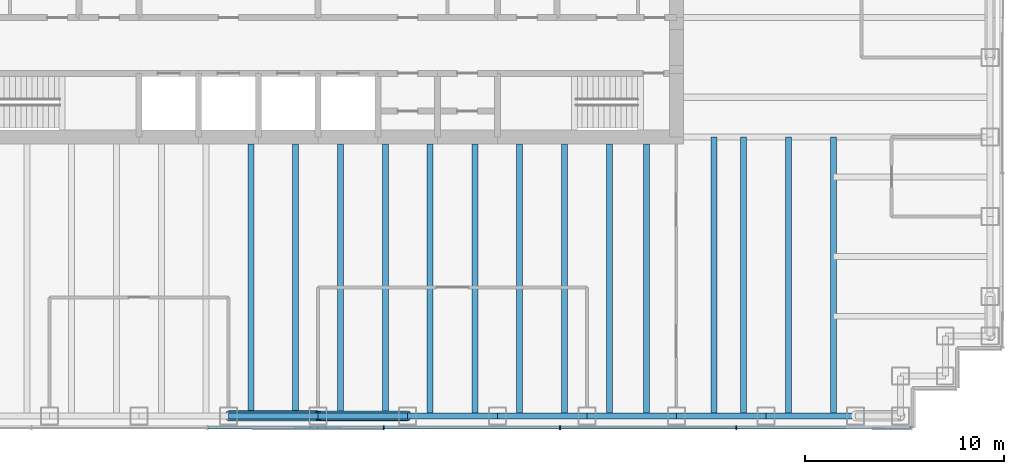
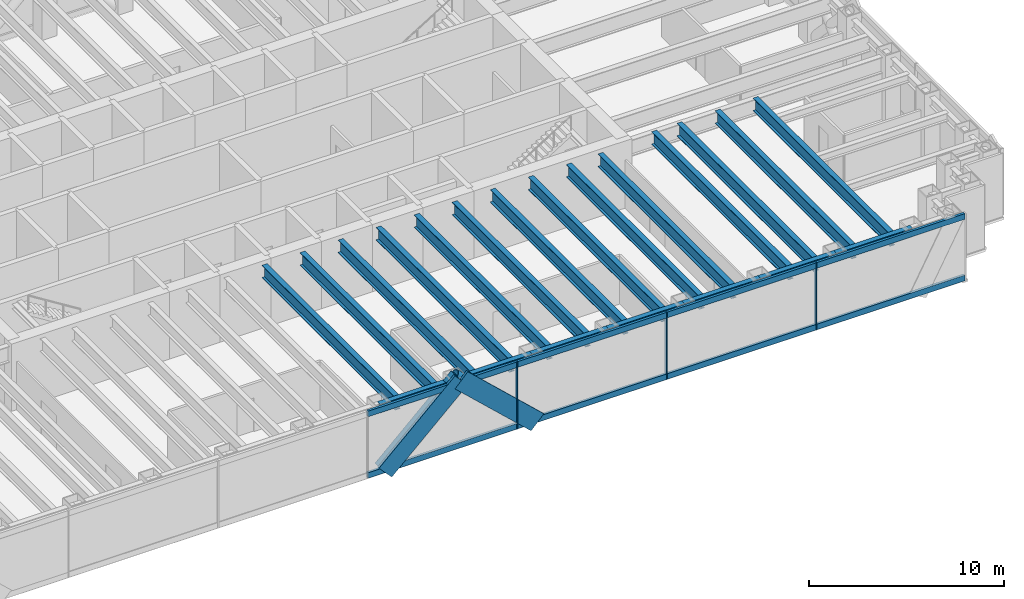
# One storey, part 4 of 15: 21 beams, 15 members, 1 element without a shape of its own.
"""IFC4 building model written with IfcOpenShell, lengths in metres."""

from ifc_helpers import new_model, si_unit, direction, frame, origin, origin_2d, place, context, subcontext, project, spatial, rectangle, hollow_circle, i_section, extrude, material, material_profile, profile_set, type_object, element, aggregate, save


model = new_model("IFC4")

# Units and contexts
model_context = context("Model", 3, precision=1e-05, world=origin(), true_north=direction((0.0, 1.0)))
body_context = subcontext(model_context, "Body", "Model", "MODEL_VIEW")
ifc_project = project(units=[si_unit("LENGTHUNIT", "METRE"), si_unit("AREAUNIT", "SQUARE_METRE"), si_unit("VOLUMEUNIT", "CUBIC_METRE"), si_unit("PLANEANGLEUNIT", "RADIAN"), si_unit("MASSUNIT", "GRAM", prefix="KILO")], contexts=[model_context])

# Site, building, storey
site_placement = place(None, origin())
site = spatial("IfcSite", under=ifc_project, at=site_placement, CompositionType="ELEMENT")
building_placement = place(site_placement, origin())
building = spatial("IfcBuilding", under=site, at=building_placement, Name="Rheinbord Bourse Tower", CompositionType="ELEMENT")
storey_placement = place(building_placement, frame((0.0, 0.0, 329.89990234375)))
storey = spatial("IfcBuildingStorey", under=building, at=storey_placement, Name="L75", CompositionType="ELEMENT", Elevation=329.89990234375)

# Curtain wall, members
ifc_material_1 = material(Name="Dark glass and black aluminium", Category="aluminium")
curtain_wall_type = type_object("IfcCurtainWallType", Name="CW3 DARK GLASS CURTAIN WALL", PredefinedType="USERDEFINED", material=ifc_material_1)
curtain_wall_placement = place(storey_placement, origin())
curtain_wall = element("IfcCurtainWall", 1, at=curtain_wall_placement, inside=storey, type_object=curtain_wall_type, Name="Curtain wall CW3 S L75", ObjectType="UNITISED CURTAIN WALL", PredefinedType="USERDEFINED")
ifc_material_2 = material(Name="Black anodised aluminium", Category="aluminium")
ifc_material_profile_1 = material_profile(ifc_material_2, rectangle(XDim=0.14990234375, YDim=1.10791015625, at=origin_2d()), Name="CW3 DIAGONAL MULLION 1108x150")
ifc_profile_set_1 = profile_set([ifc_material_profile_1], Name="Black anodised aluminium")
member_type_1 = type_object("IfcMemberType", Name="CW3 BLACK DIAGONAL MULLION", PredefinedType="USERDEFINED", material=ifc_profile_set_1)
member_1_placement = place(storey_placement, frame((40.5, 1.39990234375, 0.0), z_axis=(-0.731039441158, 0.0, 0.682335207557), x_axis=(0.0, -1.0, 0.0)))
member_1 = element("IfcMember", 2, at=member_1_placement, type_object=member_type_1, Name="CW3 diagonal mullion a", ObjectType="DIAGONAL MULLION", PredefinedType="USERDEFINED", context=body_context, shape_type="SweptSolid", body=[
    extrude(rectangle(XDim=0.14990234375, YDim=1.10791015625, at=origin_2d()), origin(), (0.0, 0.0, 1.0), 6.155517578125),
])
member_2_placement = place(storey_placement, frame((31.5, 1.39990234375, 0.0), z_axis=(0.731039441158, 0.0, 0.682335207557), x_axis=(0.0, 1.0, 0.0)))
member_2 = element("IfcMember", 3, at=member_2_placement, type_object=member_type_1, Name="CW3 diagonal mullion b", ObjectType="DIAGONAL MULLION", PredefinedType="USERDEFINED", context=body_context, shape_type="SweptSolid", body=[
    extrude(rectangle(XDim=0.14990234375, YDim=1.10791015625, at=origin_2d()), origin(), (0.0, 0.0, 1.0), 6.155517578125),
])
ifc_material_3 = material(Name="Black anodised aluminium", Category="aluminium")
ifc_material_profile_2 = material_profile(ifc_material_3, rectangle(XDim=0.199951171875, YDim=0.06494140625, at=origin_2d()), Name="CW3 MULLION 65x200")
ifc_profile_set_2 = profile_set([ifc_material_profile_2], Name="Black anodised aluminium")
member_type_2 = type_object("IfcMemberType", Name="CW3 BLACK MULLION", PredefinedType="MULLION", material=ifc_profile_set_2)
member_3_placement = place(storey_placement, frame((39.300048828125, 1.39990234375, 0.0), z_axis=(0.0, 0.0, 1.0), x_axis=(0.0, 1.0, 0.0)))
member_3 = element("IfcMember", 4, at=member_3_placement, type_object=member_type_2, Name="CW3 mullion 5", PredefinedType="MULLION", context=body_context, shape_type="SweptSolid", body=[
    extrude(rectangle(XDim=0.199951171875, YDim=0.06494140625, at=origin_2d()), origin(), (0.0, 0.0, 1.0), 4.2001953125),
])
member_4_placement = place(storey_placement, frame((48.14990234375, 1.39990234375, 0.0), z_axis=(0.0, 0.0, 1.0), x_axis=(0.0, 1.0, 0.0)))
member_4 = element("IfcMember", 5, at=member_4_placement, type_object=member_type_2, Name="CW3 mullion 6", PredefinedType="MULLION", context=body_context, shape_type="SweptSolid", body=[
    extrude(rectangle(XDim=0.199951171875, YDim=0.06494140625, at=origin_2d()), origin(), (0.0, 0.0, 1.0), 4.2001953125),
])
member_5_placement = place(storey_placement, frame((57.0, 1.39990234375, 0.0), z_axis=(0.0, 0.0, 1.0), x_axis=(0.0, 1.0, 0.0)))
member_5 = element("IfcMember", 6, at=member_5_placement, type_object=member_type_2, Name="CW3 mullion 7", PredefinedType="MULLION", context=body_context, shape_type="SweptSolid", body=[
    extrude(rectangle(XDim=0.199951171875, YDim=0.06494140625, at=origin_2d()), origin(), (0.0, 0.0, 1.0), 4.2001953125),
])
ifc_material_4 = material(Name="Black anodised aluminium", Category="aluminium")
ifc_material_profile_3 = material_profile(ifc_material_4, rectangle(XDim=0.14990234375, YDim=0.35009765625, at=origin_2d()), Name="CW3 TRANSOM 350x150")
ifc_profile_set_3 = profile_set([ifc_material_profile_3], Name="Black anodised aluminium")
member_type_3 = type_object("IfcMemberType", Name="CW3 BLACK TRANSOM", PredefinedType="USERDEFINED", material=ifc_profile_set_3)
member_6_placement = place(storey_placement, frame((30.482421875, 1.39990234375, 0.175048828125), z_axis=(1.0, 0.0, 0.0), x_axis=(0.0, 1.0, 0.0)))
member_6 = element("IfcMember", 7, at=member_6_placement, type_object=member_type_3, Name="CW3 transom 4.1", ObjectType="TRANSOM", PredefinedType="USERDEFINED", context=body_context, shape_type="SweptSolid", body=[
    extrude(rectangle(XDim=0.14990234375, YDim=0.35009765625, at=origin_2d()), origin(), (0.0, 0.0, 1.0), 8.78515625),
])
member_7_placement = place(storey_placement, frame((30.482421875, 1.39990234375, 4.025146484375), z_axis=(1.0, 0.0, 0.0), x_axis=(0.0, 1.0, 0.0)))
member_7 = element("IfcMember", 8, at=member_7_placement, type_object=member_type_3, Name="CW3 transom 4.2", ObjectType="TRANSOM", PredefinedType="USERDEFINED", context=body_context, shape_type="SweptSolid", body=[
    extrude(rectangle(XDim=0.14990234375, YDim=0.35009765625, at=origin_2d()), origin(), (0.0, 0.0, 1.0), 8.78515625),
])
member_8_placement = place(storey_placement, frame((39.33251953125, 1.39990234375, 0.175048828125), z_axis=(1.0, 0.0, 0.0), x_axis=(0.0, 1.0, 0.0)))
member_8 = element("IfcMember", 9, at=member_8_placement, type_object=member_type_3, Name="CW3 transom 5.1", ObjectType="TRANSOM", PredefinedType="USERDEFINED", context=body_context, shape_type="SweptSolid", body=[
    extrude(rectangle(XDim=0.14990234375, YDim=0.35009765625, at=origin_2d()), origin(), (0.0, 0.0, 1.0), 8.784912109375),
])
member_9_placement = place(storey_placement, frame((39.33251953125, 1.39990234375, 4.025146484375), z_axis=(1.0, 0.0, 0.0), x_axis=(0.0, 1.0, 0.0)))
member_9 = element("IfcMember", 10, at=member_9_placement, type_object=member_type_3, Name="CW3 transom 5.2", ObjectType="TRANSOM", PredefinedType="USERDEFINED", context=body_context, shape_type="SweptSolid", body=[
    extrude(rectangle(XDim=0.14990234375, YDim=0.35009765625, at=origin_2d()), origin(), (0.0, 0.0, 1.0), 8.784912109375),
])
member_10_placement = place(storey_placement, frame((48.1826171875, 1.39990234375, 0.175048828125), z_axis=(1.0, 0.0, 0.0), x_axis=(0.0, 1.0, 0.0)))
member_10 = element("IfcMember", 11, at=member_10_placement, type_object=member_type_3, Name="CW3 transom 6.1", ObjectType="TRANSOM", PredefinedType="USERDEFINED", context=body_context, shape_type="SweptSolid", body=[
    extrude(rectangle(XDim=0.14990234375, YDim=0.35009765625, at=origin_2d()), origin(), (0.0, 0.0, 1.0), 8.784912109375),
])
member_11_placement = place(storey_placement, frame((48.1826171875, 1.39990234375, 4.025146484375), z_axis=(1.0, 0.0, 0.0), x_axis=(0.0, 1.0, 0.0)))
member_11 = element("IfcMember", 12, at=member_11_placement, type_object=member_type_3, Name="CW3 transom 6.2", ObjectType="TRANSOM", PredefinedType="USERDEFINED", context=body_context, shape_type="SweptSolid", body=[
    extrude(rectangle(XDim=0.14990234375, YDim=0.35009765625, at=origin_2d()), origin(), (0.0, 0.0, 1.0), 8.784912109375),
])
member_12_placement = place(storey_placement, frame((57.032470703125, 1.39990234375, 0.175048828125), z_axis=(1.0, 0.0, 0.0), x_axis=(0.0, 1.0, 0.0)))
member_12 = element("IfcMember", 13, at=member_12_placement, type_object=member_type_3, Name="CW3 transom 7.1", ObjectType="TRANSOM", PredefinedType="USERDEFINED", context=body_context, shape_type="SweptSolid", body=[
    extrude(rectangle(XDim=0.14990234375, YDim=0.35009765625, at=origin_2d()), origin(), (0.0, 0.0, 1.0), 8.75244140625),
])
member_13_placement = place(storey_placement, frame((57.032470703125, 1.39990234375, 4.025146484375), z_axis=(1.0, 0.0, 0.0), x_axis=(0.0, 1.0, 0.0)))
member_13 = element("IfcMember", 14, at=member_13_placement, type_object=member_type_3, Name="CW3 transom 7.2", ObjectType="TRANSOM", PredefinedType="USERDEFINED", context=body_context, shape_type="SweptSolid", body=[
    extrude(rectangle(XDim=0.14990234375, YDim=0.35009765625, at=origin_2d()), origin(), (0.0, 0.0, 1.0), 8.75244140625),
])
aggregate(curtain_wall, [member_3, member_4, member_5, member_6, member_7, member_8, member_9, member_10, member_11, member_12, member_13, member_1, member_2])

# Beams
ifc_material_5 = material(Name="Steel S460", Category="steel")
ifc_material_profile_4 = material_profile(ifc_material_5, i_section(OverallWidth=0.300048828125, OverallDepth=0.800048828125, WebThickness=0.017578125, FlangeThickness=0.032958984375, at=origin_2d()), Name="HEB 800")
ifc_profile_set_4 = profile_set([ifc_material_profile_4], Name="Steel S460")
beam_type_1 = type_object("IfcBeamType", Name="FLOOR BEAM HEB 800", PredefinedType="BEAM", material=ifc_profile_set_4)
for number, where, z_axis, x_axis, name in (
    (15, (32.625, 2.0, 3.550048828125), (0.0, 1.0, 0.0), (-1.0, 0.0, 0.0), "Floor beam S-31.5a RF"),
    (16, (34.875, 2.0, 3.550048828125), (0.0, 1.0, 0.0), (-1.0, 0.0, 0.0), "Floor beam S-31.5b RF"),
    (17, (37.125, 2.0, 3.550048828125), (0.0, 1.0, 0.0), (-1.0, 0.0, 0.0), "Floor beam S-36a RF"),
    (18, (39.375, 2.0, 3.550048828125), (0.0, 1.0, 0.0), (-1.0, 0.0, 0.0), "Floor beam S-36b RF"),
    (19, (41.625, 2.0, 3.550048828125), (0.0, 1.0, 0.0), (-1.0, 0.0, 0.0), "Floor beam S-40.5a RF"),
    (20, (43.875, 2.0, 3.550048828125), (0.0, 1.0, 0.0), (-1.0, 0.0, 0.0), "Floor beam S-40.5b RF"),
    (21, (46.125, 2.0, 3.550048828125), (0.0, 1.0, 0.0), (-1.0, 0.0, 0.0), "Floor beam S-45a RF"),
    (22, (48.375, 2.0, 3.550048828125), (0.0, 1.0, 0.0), (-1.0, 0.0, 0.0), "Floor beam S-45b RF"),
    (23, (50.625, 2.0, 3.550048828125), (0.0, 1.0, 0.0), (-1.0, 0.0, 0.0), "Floor beam S-49.5a RF"),
    (24, (52.5, 2.0, 3.550048828125), (0.0, 1.0, 0.0), (-1.0, 0.0, 0.0), "Floor beam S-49.5b RF"),
):
    element("IfcBeam", number, at=place(storey_placement, frame(where, z_axis=z_axis, x_axis=x_axis)), inside=storey, type_object=beam_type_1, Name=name, PredefinedType="BEAM", context=body_context, shape_type="SweptSolid", body=[
        extrude(i_section(OverallWidth=0.300048828125, OverallDepth=0.800048828125, WebThickness=0.017578125, FlangeThickness=0.032958984375, at=origin_2d()), origin(), (0.0, 0.0, 1.0), 13.64990234375),
    ])
for number, where, z_axis, x_axis, name in (
    (25, (55.875, 2.0, 3.550048828125), (0.0, 1.0, 0.0), (-1.0, 0.0, 0.0), "Floor beam S-54a RF"),
    (26, (57.375, 2.0, 3.550048828125), (0.0, 1.0, 0.0), (-1.0, 0.0, 0.0), "Floor beam S-54b RF"),
    (27, (59.625, 2.0, 3.550048828125), (0.0, 1.0, 0.0), (-1.0, 0.0, 0.0), "Floor beam S-58.5a RF"),
    (28, (61.875, 2.0, 3.550048828125), (0.0, 1.0, 0.0), (-1.0, 0.0, 0.0), "Floor beam S-58.5b RF"),
):
    element("IfcBeam", number, at=place(storey_placement, frame(where, z_axis=z_axis, x_axis=x_axis)), inside=storey, type_object=beam_type_1, Name=name, PredefinedType="BEAM", context=body_context, shape_type="SweptSolid", body=[
        extrude(i_section(OverallWidth=0.300048828125, OverallDepth=0.800048828125, WebThickness=0.017578125, FlangeThickness=0.032958984375, at=origin_2d()), origin(), (0.0, 0.0, 1.0), 14.0),
    ])

# Members
ifc_material_6 = material(Name="Steel S460", Category="steel")
ifc_material_profile_5 = material_profile(ifc_material_6, hollow_circle(Radius=0.25390625, WallThickness=0.030029296875, at=origin_2d()), Name="CHS 508x30")
ifc_profile_set_5 = profile_set([ifc_material_profile_5], Name="Steel S460")
member_type_4 = type_object("IfcMemberType", Name="MEGABRACE CHS 508x30", PredefinedType="BRACE", material=ifc_profile_set_5)
for number, where, z_axis, x_axis, name in (
    (29, (40.5, 2.0, 0.0), (-0.731039441158, 0.0, 0.682335207557), (0.0, -1.0, 0.0), "Megabrace S face line a L75"),
    (30, (31.5, 2.0, 0.0), (0.731039441158, 0.0, 0.682335207557), (0.0, 1.0, 0.0), "Megabrace S face line b L75"),
):
    element("IfcMember", number, at=place(storey_placement, frame(where, z_axis=z_axis, x_axis=x_axis)), inside=storey, type_object=member_type_4, Name=name, PredefinedType="BRACE", context=body_context, shape_type="SweptSolid", body=[
        extrude(hollow_circle(Radius=0.25390625, WallThickness=0.030029296875, at=origin_2d()), origin(), (0.0, 0.0, 1.0), 6.155517578125),
    ])

# Beams
ifc_material_7 = material(Name="Steel S460", Category="steel")
ifc_material_profile_6 = material_profile(ifc_material_7, i_section(OverallWidth=0.300048828125, OverallDepth=0.550048828125, WebThickness=0.014892578125, FlangeThickness=0.029052734375, at=origin_2d()), Name="HEB 550")
ifc_profile_set_6 = profile_set([ifc_material_profile_6], Name="Steel S460")
beam_type_2 = type_object("IfcBeamType", Name="SPANDREL HEB 550", PredefinedType="SPANDREL", material=ifc_profile_set_6)
for number, where, z_axis, x_axis, name in (
    (31, (31.5, 2.0, 3.675048828125), (1.0, 0.0, 0.0), (0.0, 1.0, 0.0), "Spandrel S-31.5-S-36 under RF"),
    (32, (36.0, 2.0, 3.675048828125), (1.0, 0.0, 0.0), (0.0, 1.0, 0.0), "Spandrel S-36-S-40.5 under RF"),
    (33, (40.5, 2.0, 3.675048828125), (1.0, 0.0, 0.0), (0.0, 1.0, 0.0), "Spandrel S-40.5-S-45 under RF"),
    (34, (45.0, 2.0, 3.675048828125), (1.0, 0.0, 0.0), (0.0, 1.0, 0.0), "Spandrel S-45-S-49.5 under RF"),
    (35, (49.5, 2.0, 3.675048828125), (1.0, 0.0, 0.0), (0.0, 1.0, 0.0), "Spandrel S-49.5-S-54 under RF"),
    (36, (54.0, 2.0, 3.675048828125), (1.0, 0.0, 0.0), (0.0, 1.0, 0.0), "Spandrel S-54-S-58.5 under RF"),
    (37, (58.5, 2.0, 3.675048828125), (1.0, 0.0, 0.0), (0.0, 1.0, 0.0), "Spandrel S-58.5-S-63 under RF"),
):
    element("IfcBeam", number, at=place(storey_placement, frame(where, z_axis=z_axis, x_axis=x_axis)), inside=storey, type_object=beam_type_2, Name=name, PredefinedType="SPANDREL", context=body_context, shape_type="SweptSolid", body=[
        extrude(i_section(OverallWidth=0.300048828125, OverallDepth=0.550048828125, WebThickness=0.014892578125, FlangeThickness=0.029052734375, at=origin_2d()), origin(), (0.0, 0.0, 1.0), 4.5),
    ])

save(model, "model.ifc")
